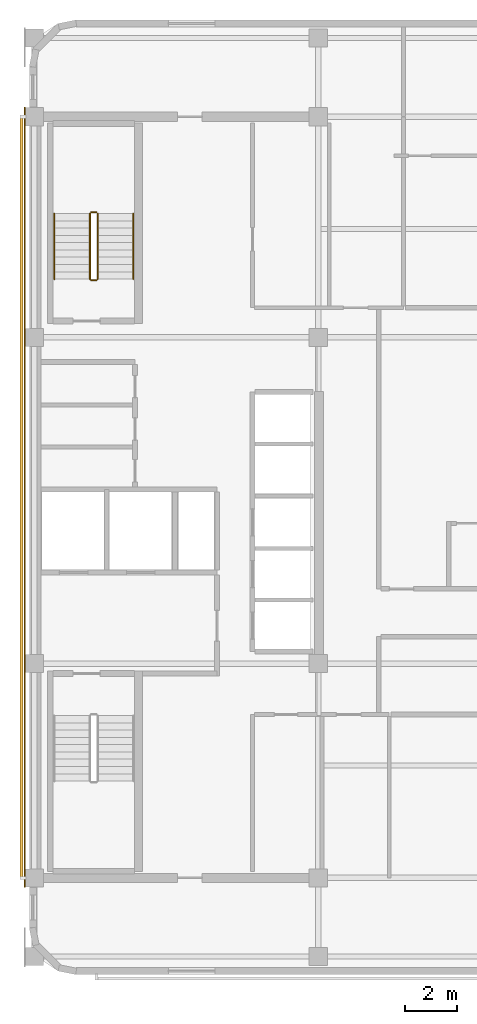
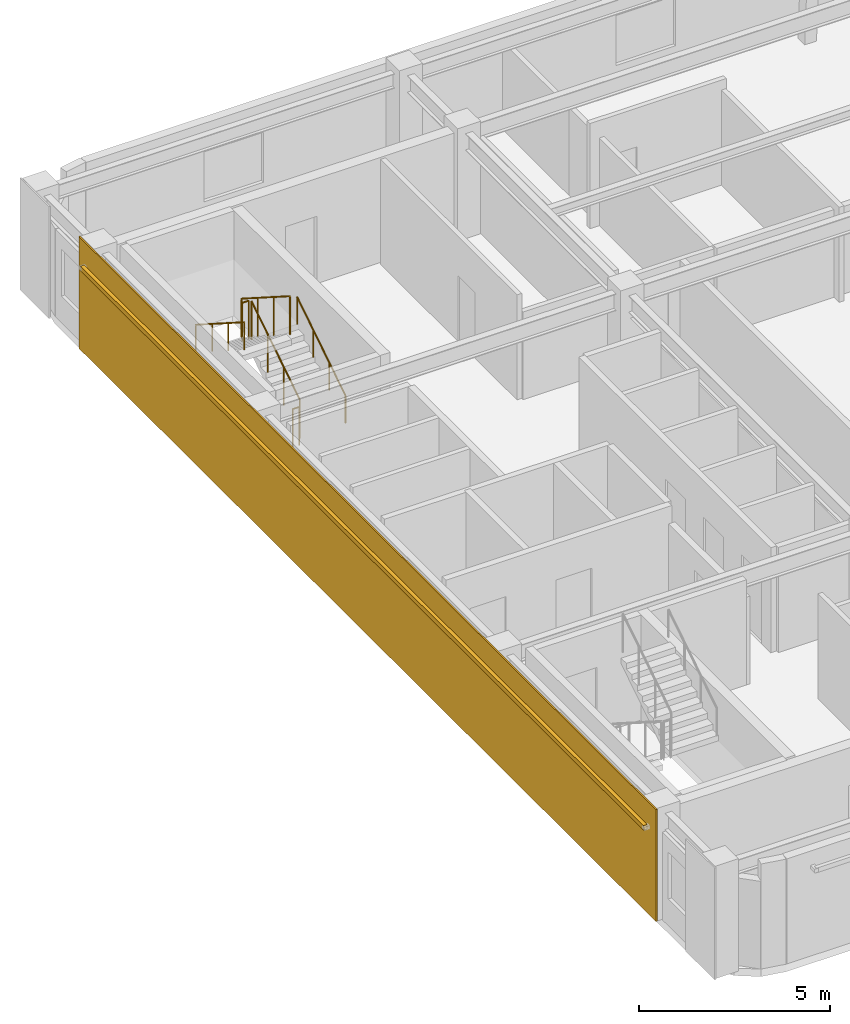
# One storey, part 9 of 10: 6 railings, 1 covering, 1 shading device.
"""IFC4 building model written with IfcOpenShell, lengths in metres."""

import ifcopenshell
import ifcopenshell.guid

model = None  # the IFC model being written
_history = None  # IfcOwnerHistory: only IFC2X3 demands one
_inside = {}  # id of a spatial element -> (the spatial element, [elements in it])
_under = {}  # id of a project, library or spatial element -> (it, [spatial elements below it])
_declared = {}  # id of a project -> (the project, [libraries it declares])
_typed = {}  # id of a type object -> (the type object, [elements of that type])
_made_of = {}  # id of a material, layer set ... -> (it, [elements and type objects made of it])


def new_model(schema):
    """Start an empty IFC model of exactly this schema.

    Asked for "IFC4X3", IfcOpenShell would pick the latest addendum, in which some entities
    have other attributes; the version numbers below select the first issue.
    IFC2X3 requires an IfcOwnerHistory on every rooted entity: one is made here for all.
    """
    global model, _history
    if schema == "IFC4X3":
        model = ifcopenshell.file(schema_version=(4, 3, 0, 0))
    else:
        model = ifcopenshell.file(schema=schema)
    _inside.clear()
    _under.clear()
    _declared.clear()
    _typed.clear()
    _made_of.clear()
    _history = None
    if model.schema == "IFC2X3":
        org = make("IfcOrganization", Name="unknown")
        user = make(
            "IfcPersonAndOrganization",
            ThePerson=make("IfcPerson", FamilyName="unknown"),
            TheOrganization=org,
        )
        app = make(
            "IfcApplication",
            ApplicationDeveloper=org,
            Version="unknown",
            ApplicationFullName="unknown",
            ApplicationIdentifier="unknown",
        )
        _history = make(
            "IfcOwnerHistory",
            OwningUser=user,
            OwningApplication=app,
            ChangeAction="ADDED",
            CreationDate=0,
        )
    return model


def make(cls, **values):
    """One entity of the class cls with the attributes given. An attribute that is None is left unset."""
    return model.create_entity(
        cls, **{name: value for name, value in values.items() if value is not None}
    )


def rooted(cls, **values):
    """An entity with a GlobalId (a new one), such as an element, a storey or a relation."""
    return make(cls, GlobalId=ifcopenshell.guid.new(), OwnerHistory=_history, **values)


def si_unit(unit_type, name, prefix=None):
    """IfcSIUnit, for example si_unit("LENGTHUNIT", "METRE", prefix="MILLI")."""
    return make("IfcSIUnit", UnitType=unit_type, Prefix=prefix, Name=name)


def assignment(units):
    """IfcUnitAssignment: the units of a project."""
    return None if units is None else make("IfcUnitAssignment", Units=units)


def point(xyz):
    """IfcCartesianPoint."""
    return None if xyz is None else make("IfcCartesianPoint", Coordinates=xyz)


def direction(xyz):
    """IfcDirection."""
    return None if xyz is None else make("IfcDirection", DirectionRatios=xyz)


def frame(location, z_axis=None, x_axis=None):
    """IfcAxis2Placement3D, a coordinate frame: its origin and axes. An axis left out is left unset."""
    return make(
        "IfcAxis2Placement3D",
        Location=point(location),
        Axis=direction(z_axis),
        RefDirection=direction(x_axis),
    )


def frame_2d(location, x_axis=None):
    """IfcAxis2Placement2D, a coordinate frame in the plane: its origin and x axis."""
    return make(
        "IfcAxis2Placement2D", Location=point(location), RefDirection=direction(x_axis)
    )


def origin():
    """The frame at (0, 0, 0) with its axes left unset."""
    return frame((0.0, 0.0, 0.0))


def origin_2d():
    """The frame at (0, 0) in the plane with its x axis left unset."""
    return frame_2d((0.0, 0.0))


def place(relative_to, where):
    """IfcLocalPlacement: puts the frame where relative to a parent placement (None: the world)."""
    return make(
        "IfcLocalPlacement", PlacementRelTo=relative_to, RelativePlacement=where
    )


def context(
    kind, dimensions, precision=None, world=None, true_north=None, identifier=None
):
    """IfcGeometricRepresentationContext, for example the 3D "Model" context."""
    return make(
        "IfcGeometricRepresentationContext",
        ContextIdentifier=identifier,
        ContextType=kind,
        CoordinateSpaceDimension=dimensions,
        Precision=precision,
        WorldCoordinateSystem=world,
        TrueNorth=true_north,
    )


def subcontext(parent, identifier, kind, view, scale=None):
    """IfcGeometricRepresentationSubContext, for example "Body" below "Model"."""
    return make(
        "IfcGeometricRepresentationSubContext",
        ContextIdentifier=identifier,
        ContextType=kind,
        ParentContext=parent,
        TargetScale=scale,
        TargetView=view,
    )


def project(units=None, contexts=None):
    """IfcProject with its units and contexts."""
    return rooted(
        "IfcProject",
        Name="project",
        RepresentationContexts=contexts,
        UnitsInContext=assignment(units),
    )


def spatial(cls, under=None, at=None, **own):
    """A site, building, storey or space (cls), placed at a placement, below another one or the project."""
    s = rooted(cls, ObjectPlacement=at, **own)
    if under is not None:
        _under.setdefault(under.id(), (under, []))[1].append(s)
    return s


def profile(cls, at=None, kind="AREA", **sizes):
    """A parametric profile (cls). Its sizes go by their IFC names, for example OverallWidth=200.0."""
    return make(cls, ProfileType=kind, Position=at, **sizes)


def rectangle(**sizes):
    """IfcRectangleProfileDef."""
    return profile("IfcRectangleProfileDef", **sizes)


def circle(**sizes):
    """IfcCircleProfileDef."""
    return profile("IfcCircleProfileDef", **sizes)


def extrude(swept, where, along, depth):
    """IfcExtrudedAreaSolid: the profile swept, set in the frame where, extruded along a direction by depth."""
    return make(
        "IfcExtrudedAreaSolid",
        SweptArea=swept,
        Position=where,
        ExtrudedDirection=direction(along),
        Depth=depth,
    )


def shape(context_of_items, identifier, shape_type, items):
    """IfcShapeRepresentation: the items that make up one representation, for example the "Body"."""
    return make(
        "IfcShapeRepresentation",
        ContextOfItems=context_of_items,
        RepresentationIdentifier=identifier,
        RepresentationType=shape_type,
        Items=items,
    )


def material(Name=None, Category=None):
    """IfcMaterial."""
    return make("IfcMaterial", Name=Name, Category=Category)


def layer(
    of_material, thickness, ventilated=None, Name=None, Category=None, Priority=None
):
    """IfcMaterialLayer: one layer of a wall or slab, of a material (None: an air gap)."""
    return make(
        "IfcMaterialLayer",
        Material=of_material,
        LayerThickness=thickness,
        IsVentilated=ventilated,
        Name=Name,
        Category=Category,
        Priority=Priority,
    )


def layer_set(layers, Name=None):
    """IfcMaterialLayerSet."""
    return make("IfcMaterialLayerSet", MaterialLayers=layers, LayerSetName=Name)


def material_profile(
    of_material, cross_section, Name=None, Category=None, Priority=None
):
    """IfcMaterialProfile: a cross section and its material."""
    return make(
        "IfcMaterialProfile",
        Name=Name,
        Material=of_material,
        Profile=cross_section,
        Priority=Priority,
        Category=Category,
    )


def profile_set(profiles, Name=None, composite=None):
    """IfcMaterialProfileSet."""
    return make(
        "IfcMaterialProfileSet",
        Name=Name,
        MaterialProfiles=profiles,
        CompositeProfile=composite,
    )


def made_of(thing, what):
    """Note that an element or type object is made of a material, layer set ...; save() writes the relation."""
    if what is not None:
        _made_of.setdefault(what.id(), (what, []))[1].append(thing)
    return thing


def type_object(cls, material=None, **own):
    """A type object (cls), such as IfcWallType, which elements share."""
    return made_of(rooted(cls, **own), material)


def element(
    cls,
    number,
    at=None,
    inside=None,
    cuts=None,
    type_object=None,
    material=None,
    context=None,
    identifier="Body",
    shape_type=None,
    held_by="IfcProductDefinitionShape",
    body=None,
    shapes=None,
    **own,
):
    """One element of the class cls, such as IfcWall. Its Tag is "e" and its number.

    at: its placement. inside: the storey or other place that contains it. cuts: it is an
    opening in that element (IfcRelVoidsElement). A single representation is given by context,
    identifier, shape_type and body (its items); several are given by shapes. held_by: the class
    of the entity that holds the representations. save() writes the other relations.
    """
    e = rooted(cls, Tag="e%d" % number, ObjectPlacement=at, **own)
    if body is not None:
        shapes = [shape(context, identifier, shape_type, body)]
    if shapes is not None:
        e.Representation = make(held_by, Representations=shapes)
    if inside is not None:
        _inside.setdefault(inside.id(), (inside, []))[1].append(e)
    if cuts is not None:
        rooted(
            "IfcRelVoidsElement", RelatingBuildingElement=cuts, RelatedOpeningElement=e
        )
    if type_object is not None:
        _typed.setdefault(type_object.id(), (type_object, []))[1].append(e)
    return made_of(e, material)


def aggregate(whole, parts):
    """IfcRelAggregates: a whole, such as a stair, and the parts it consists of."""
    return rooted("IfcRelAggregates", RelatingObject=whole, RelatedObjects=parts)


def save(model, path):
    """Write the relations noted so far, then the file.

    IfcRelAggregates (storeys below a building ...), IfcRelContainedInSpatialStructure (elements
    in a storey), IfcRelDefinesByType, IfcRelAssociatesMaterial and IfcRelDeclares: one each for
    every whole, place, type object, material and project.
    """
    for whole, parts in _under.values():
        aggregate(whole, parts)
    for where, things in _inside.values():
        rooted(
            "IfcRelContainedInSpatialStructure",
            RelatedElements=things,
            RelatingStructure=where,
        )
    for kind, things in _typed.values():
        rooted("IfcRelDefinesByType", RelatedObjects=things, RelatingType=kind)
    for what, things in _made_of.values():
        rooted("IfcRelAssociatesMaterial", RelatedObjects=things, RelatingMaterial=what)
    for by, libraries in _declared.values():
        rooted("IfcRelDeclares", RelatingContext=by, RelatedDefinitions=libraries)
    model.write(path)


model = new_model("IFC4")

# Units and contexts
model_context = context("Model", 3, precision=1e-05, world=origin(), true_north=direction((0.0, 1.0)))
body_context = subcontext(model_context, "Body", "Model", "MODEL_VIEW")
ifc_project = project(units=[si_unit("LENGTHUNIT", "METRE"), si_unit("AREAUNIT", "SQUARE_METRE"), si_unit("VOLUMEUNIT", "CUBIC_METRE"), si_unit("PLANEANGLEUNIT", "RADIAN"), si_unit("MASSUNIT", "GRAM", prefix="KILO")], contexts=[model_context])

# Site, building, storey
site_placement = place(None, origin())
site = spatial("IfcSite", under=ifc_project, at=site_placement, CompositionType="ELEMENT")
building_placement = place(site_placement, origin())
building = spatial("IfcBuilding", under=site, at=building_placement, Name="Ochreholt Gables", CompositionType="ELEMENT")
storey_placement = place(building_placement, frame((0.0, 0.0, 213.0)))
storey = spatial("IfcBuildingStorey", under=building, at=storey_placement, Name="L55", CompositionType="ELEMENT", Elevation=213.0)

# Covering
ifc_material_1 = material(Name="Glazed Ochre Terracotta Rainscreen Cladding", Category="masonry")
ifc_layer = layer(ifc_material_1, 0.044921875, Name="Glazed Ochre Terracotta Rainscreen Cladding")
ifc_layer_set = layer_set([ifc_layer], Name="Glazed Ochre Terracotta Rainscreen Cladding")
covering_type = type_object("IfcCoveringType", Name="COV-CLAD-TC", PredefinedType="CLADDING", material=ifc_layer_set)
covering_placement = place(storey_placement, frame((23.827880859375, 24.0, 0.010009765625), z_axis=(0.0, 0.0, 1.0), x_axis=(0.0, 1.0, 0.0)))
element("IfcCovering", 1, at=covering_placement, inside=storey, type_object=covering_type, Name="L55 West Core Terracotta Rainscreen Cladding", PredefinedType="CLADDING", context=body_context, shape_type="SweptSolid", body=[
    extrude(rectangle(XDim=30.239990234375, YDim=0.044921875, at=origin_2d()), origin(), (0.0, 0.0, 1.0), 3.580078125),
])

# Railings
ifc_material_2 = material(Name="Painted Steel Stair Guardrail", Category="steel")
railing_type_1 = type_object("IfcRailingType", Name="RL-ST-GUARD", PredefinedType="GUARDRAIL", material=ifc_material_2)
railing_1_placement = place(storey_placement, frame((26.64990234375, 32.4599609375, 0.179931640625)))
element("IfcRailing", 2, at=railing_1_placement, inside=storey, type_object=railing_type_1, Name="L55 ST-2 stair guard 1", PredefinedType="GUARDRAIL", context=body_context, shape_type="SweptSolid", body=[
    extrude(circle(Radius=0.02392578125, at=origin_2d()), frame((0.0, 0.0, 1.22607421875), z_axis=(0.0, 0.842912820907, 0.538050161556), x_axis=(-1.0, 0.0, 0.0)), (0.0, 0.0, 1.0), 3.010986328125),
    extrude(circle(Radius=0.02099609375, at=origin_2d()), origin(), (0.0, 0.0, 1.0), 1.201904296875),
    extrude(circle(Radius=0.02099609375, at=origin_2d()), frame((0.0, 0.845947265625, 0.5400390625)), (0.0, 0.0, 1.0), 1.201904296875),
    extrude(circle(Radius=0.02099609375, at=origin_2d()), frame((0.0, 1.692138671875, 1.080078125)), (0.0, 0.0, 1.0), 1.201904296875),
    extrude(circle(Radius=0.02099609375, at=origin_2d()), frame((0.0, 2.5380859375, 1.6201171875)), (0.0, 0.0, 1.0), 1.201904296875),
])
railing_2_placement = place(storey_placement, frame((26.60009765625, 35.048095703125, 1.800048828125)))
element("IfcRailing", 3, at=railing_2_placement, inside=storey, type_object=railing_type_1, Name="L55 ST-2 stair guard 2", PredefinedType="GUARDRAIL", context=body_context, shape_type="SweptSolid", body=[
    extrude(circle(Radius=0.02392578125, at=origin_2d()), frame((0.0, 0.0, 1.22607421875), z_axis=(-1.0, 0.0, 0.0), x_axis=(0.0, -1.0, 0.0)), (0.0, 0.0, 1.0), 0.2001953125),
    extrude(circle(Radius=0.02099609375, at=origin_2d()), origin(), (0.0, 0.0, 1.0), 1.201904296875),
    extrude(circle(Radius=0.02099609375, at=origin_2d()), frame((-0.2001953125, 0.0, 0.0)), (0.0, 0.0, 1.0), 1.201904296875),
])
railing_3_placement = place(storey_placement, frame((26.35009765625, 34.998046875, 1.97998046875)))
element("IfcRailing", 4, at=railing_3_placement, inside=storey, type_object=railing_type_1, Name="L55 ST-2 stair guard 3", PredefinedType="GUARDRAIL", context=body_context, shape_type="SweptSolid", body=[
    extrude(circle(Radius=0.02392578125, at=origin_2d()), frame((0.0, 0.0, 1.22607421875), z_axis=(0.0, -0.842912820907, 0.538050161556), x_axis=(1.0, 0.0, 0.0)), (0.0, 0.0, 1.0), 3.010986328125),
    extrude(circle(Radius=0.02099609375, at=origin_2d()), origin(), (0.0, 0.0, 1.0), 1.201904296875),
    extrude(circle(Radius=0.02099609375, at=origin_2d()), frame((0.0, -0.845947265625, 0.5400390625)), (0.0, 0.0, 1.0), 1.201904296875),
    extrude(circle(Radius=0.02099609375, at=origin_2d()), frame((0.0, -1.692138671875, 1.080078125)), (0.0, 0.0, 1.0), 1.201904296875),
    extrude(circle(Radius=0.02099609375, at=origin_2d()), frame((0.0, -2.5380859375, 1.6201171875)), (0.0, 0.0, 1.0), 1.201904296875),
])
railing_4_placement = place(storey_placement, frame((26.60009765625, 32.409912109375, 0.0)))
element("IfcRailing", 5, at=railing_4_placement, inside=storey, type_object=railing_type_1, Name="L55 ST-2 stair guard 4", PredefinedType="GUARDRAIL", context=body_context, shape_type="SweptSolid", body=[
    extrude(circle(Radius=0.02392578125, at=origin_2d()), frame((0.0, 0.0, 1.22607421875), z_axis=(-1.0, 0.0, 0.0), x_axis=(0.0, -1.0, 0.0)), (0.0, 0.0, 1.0), 0.2001953125),
    extrude(circle(Radius=0.02099609375, at=origin_2d()), origin(), (0.0, 0.0, 1.0), 1.201904296875),
    extrude(circle(Radius=0.02099609375, at=origin_2d()), frame((-0.2001953125, 0.0, 0.0)), (0.0, 0.0, 1.0), 1.201904296875),
])
ifc_material_3 = material(Name="Brushed Stainless Steel Wall Handrail", Category="steel")
railing_type_2 = type_object("IfcRailingType", Name="RL-ST-HAND", PredefinedType="HANDRAIL", material=ifc_material_3)
railing_5_placement = place(storey_placement, frame((28.030029296875, 32.4599609375, 0.179931640625)))
element("IfcRailing", 6, at=railing_5_placement, inside=storey, type_object=railing_type_2, Name="L55 ST-2 stair handrail 1", PredefinedType="HANDRAIL", context=body_context, shape_type="SweptSolid", body=[
    extrude(circle(Radius=0.02392578125, at=origin_2d()), frame((0.0, 0.0, 0.8759765625), z_axis=(0.0, 0.842912820907, 0.538050161556), x_axis=(-1.0, 0.0, 0.0)), (0.0, 0.0, 1.0), 3.010986328125),
    extrude(circle(Radius=0.02099609375, at=origin_2d()), origin(), (0.0, 0.0, 1.0), 0.851806640625),
    extrude(circle(Radius=0.02099609375, at=origin_2d()), frame((0.0, 0.845947265625, 0.5400390625)), (0.0, 0.0, 1.0), 0.851806640625),
    extrude(circle(Radius=0.02099609375, at=origin_2d()), frame((0.0, 1.692138671875, 1.080078125)), (0.0, 0.0, 1.0), 0.851806640625),
    extrude(circle(Radius=0.02099609375, at=origin_2d()), frame((0.0, 2.5380859375, 1.6201171875)), (0.0, 0.0, 1.0), 0.851806640625),
])
railing_6_placement = place(storey_placement, frame((24.969970703125, 34.998046875, 1.97998046875)))
element("IfcRailing", 7, at=railing_6_placement, inside=storey, type_object=railing_type_2, Name="L55 ST-2 stair handrail 2", PredefinedType="HANDRAIL", context=body_context, shape_type="SweptSolid", body=[
    extrude(circle(Radius=0.02392578125, at=origin_2d()), frame((0.0, 0.0, 0.8759765625), z_axis=(0.0, -0.842912820907, 0.538050161556), x_axis=(1.0, 0.0, 0.0)), (0.0, 0.0, 1.0), 3.010986328125),
    extrude(circle(Radius=0.02099609375, at=origin_2d()), origin(), (0.0, 0.0, 1.0), 0.851806640625),
    extrude(circle(Radius=0.02099609375, at=origin_2d()), frame((0.0, -0.845947265625, 0.5400390625)), (0.0, 0.0, 1.0), 0.851806640625),
    extrude(circle(Radius=0.02099609375, at=origin_2d()), frame((0.0, -1.692138671875, 1.080078125)), (0.0, 0.0, 1.0), 0.851806640625),
    extrude(circle(Radius=0.02099609375, at=origin_2d()), frame((0.0, -2.5380859375, 1.6201171875)), (0.0, 0.0, 1.0), 0.851806640625),
])

# Shading device
ifc_material_4 = material(Name="Warm Ochre Glazed Terracotta Baguette", Category="masonry")
ifc_material_profile = material_profile(ifc_material_4, rectangle(XDim=0.110107421875, YDim=0.14990234375, at=origin_2d()), Name="TCBAG110X150")
ifc_profile_set = profile_set([ifc_material_profile], Name="Warm Ochre Glazed Terracotta Baguette")
shading_device_type = type_object("IfcShadingDeviceType", Name="SHD-BAGUETTE", PredefinedType="USERDEFINED", material=ifc_profile_set)
shading_device_placement = place(storey_placement, frame((23.699951171875, 38.75, 2.840087890625), z_axis=(0.0, -1.0, 0.0), x_axis=(1.0, 0.0, 0.0)))
element("IfcShadingDevice", 8, at=shading_device_placement, inside=storey, type_object=shading_device_type, Name="L55 Terracotta Baguette Screen W-1", ObjectType="BAGUETTE", PredefinedType="USERDEFINED", context=body_context, shape_type="SweptSolid", body=[
    extrude(rectangle(XDim=0.110107421875, YDim=0.14990234375, at=origin_2d()), origin(), (0.0, 0.0, 1.0), 29.5),
])

save(model, "model.ifc")
